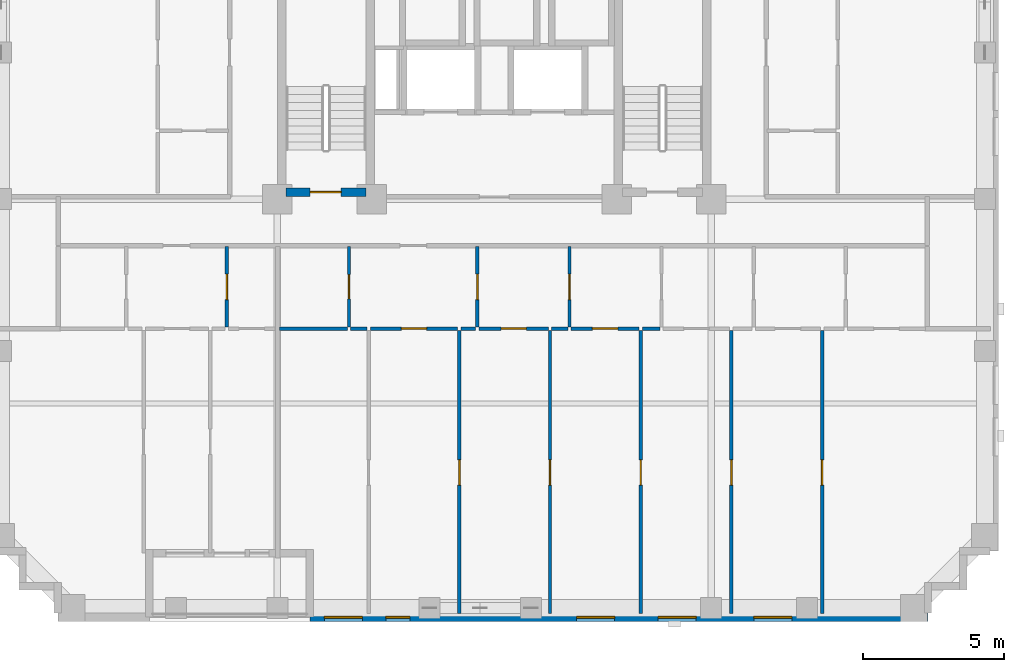
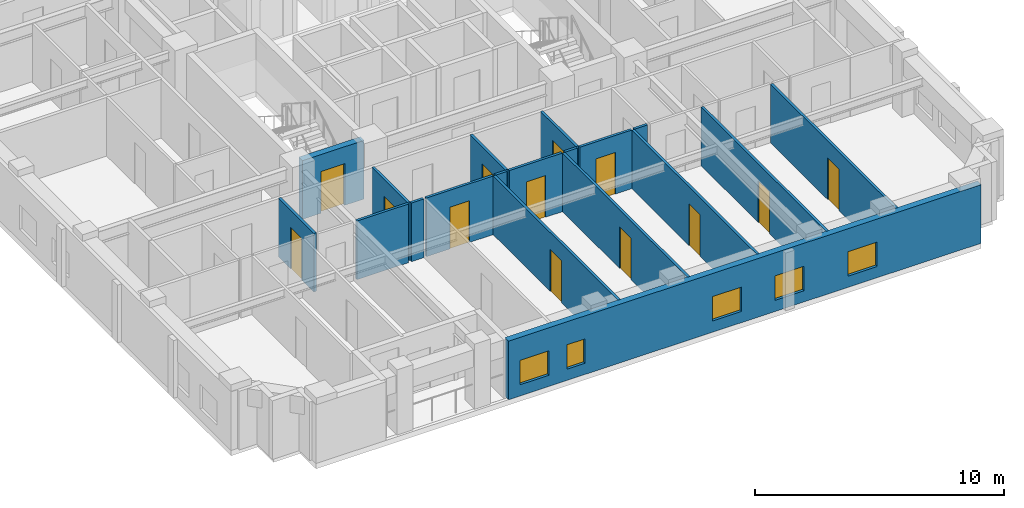
# One storey, part 3 of 12: 19 walls, 13 doors, 5 windows, 18 openings.
"""IFC4 building model written with IfcOpenShell, lengths in metres."""

from ifc_helpers import new_model, si_unit, derived_unit, direction, frame, frame_2d, origin, place, context, subcontext, project, spatial, rectangle, extrude, material, layer, layer_set, type_object, element, fill, save


model = new_model("IFC4")

# Units and contexts
model_context = context("Model", 3, precision=1e-05, world=origin(), true_north=direction((0.0, 1.0)))
body_context = subcontext(model_context, "Body", "Model", "MODEL_VIEW")
ifc_project = project(units=[si_unit("LENGTHUNIT", "METRE"), si_unit("AREAUNIT", "SQUARE_METRE"), si_unit("VOLUMEUNIT", "CUBIC_METRE"), si_unit("PLANEANGLEUNIT", "RADIAN"), si_unit("MASSUNIT", "GRAM", prefix="KILO"), derived_unit("THERMALTRANSMITTANCEUNIT", [(si_unit("MASSUNIT", "GRAM", prefix="KILO"), 1), (si_unit("TIMEUNIT", "SECOND"), -3), (si_unit("THERMODYNAMICTEMPERATUREUNIT", "KELVIN"), -1)])], contexts=[model_context])

# Site, building, storey
site_placement = place(None, origin())
site = spatial("IfcSite", under=ifc_project, at=site_placement, CompositionType="ELEMENT")
building_placement = place(site_placement, origin())
building = spatial("IfcBuilding", under=site, at=building_placement, Name="Korrvale Station Residences", CompositionType="ELEMENT")
storey_placement = place(building_placement, frame((0.0, 0.0, 116.699951171875)))
storey = spatial("IfcBuildingStorey", under=building, at=storey_placement, Name="L33", CompositionType="ELEMENT", Elevation=116.699951171875)

# Wall, opening, door
ifc_material_1 = material(Name="Concrete C60/75", Category="concrete")
ifc_layer_1 = layer(ifc_material_1, 0.300048828125, Name="Concrete C60/75")
ifc_layer_set_1 = layer_set([ifc_layer_1], Name="Concrete C60/75")
wall_type_1 = type_object("IfcWallType", Name="WAL-CORE-300-C60", PredefinedType="SHEAR", material=ifc_layer_set_1)
wall_1_placement = place(storey_placement, frame((18.10009765625, 15.25, 0.0), z_axis=(0.0, 0.0, 1.0), x_axis=(1.0, 0.0, 0.0)))
wall_1 = element("IfcWall", 1, at=wall_1_placement, inside=storey, type_object=wall_type_1, Name="L33 ST-1 Core Shear Wall South", PredefinedType="SHEAR", context=body_context, shape_type="SweptSolid", body=[
    extrude(rectangle(XDim=2.849853515625, YDim=0.300048828125, at=frame_2d((1.4248046875, 0.0))), origin(), (0.0, 0.0, 1.0), 2.880126953125),
])
opening_1_placement = place(wall_1_placement, frame((0.860107421875, 0.0, 0.0)))
opening_1 = element("IfcOpeningElement", 2, at=opening_1_placement, cuts=wall_1, Name="Opening SD-1100", PredefinedType="OPENING", context=body_context, shape_type="SweptSolid", body=[
    extrude(rectangle(XDim=1.10009765625, YDim=2.050048828125, at=frame_2d((0.550048828125, 1.02490234375))), frame((0.0, 0.16015625, 0.0), z_axis=(0.0, -1.0, 0.0), x_axis=(1.0, 0.0, 0.0)), (0.0, 0.0, 1.0), 0.320068359375),
])
ifc_material_2 = material(Name="Hollow-metal fire-rated stair door with closer", Category="steel")
door_type_1 = type_object("IfcDoorType", Name="DR-STAIR-1100", OperationType="NOTDEFINED", PredefinedType="DOOR", material=ifc_material_2)
door_1_placement = place(opening_1_placement, origin())
door_1 = element("IfcDoor", 3, at=door_1_placement, inside=storey, type_object=door_type_1, Name="L33 ST-1 Exit Stair Door", OperationType="SINGLE_SWING_LEFT", OverallHeight=2.050048828125, OverallWidth=1.10009765625, PredefinedType="DOOR", context=body_context, shape_type="SweptSolid", body=[
    extrude(rectangle(XDim=1.10009765625, YDim=2.050048828125, at=frame_2d((0.550048828125, 1.02490234375))), frame((0.0, 0.02490234375, 0.0), z_axis=(0.0, -1.0, 0.0), x_axis=(1.0, 0.0, 0.0)), (0.0, 0.0, 1.0), 0.050048828125),
])
fill(opening_1, door_1)

# Wall, openings, windows
ifc_material_3 = material(Name="Precast concrete C45/55", Category="concrete")
ifc_layer_2 = layer(ifc_material_3, 0.300048828125, Name="Precast concrete C45/55")
ifc_layer_set_2 = layer_set([ifc_layer_2], Name="Precast concrete C45/55")
wall_type_2 = type_object("IfcWallType", Name="WAL-EXT-PC300", PredefinedType="SOLIDWALL", material=ifc_layer_set_2)
wall_2_placement = place(storey_placement, frame((40.89990234375, 0.14990234375, 0.0), z_axis=(0.0, 0.0, 1.0), x_axis=(-1.0, 0.0, 0.0)))
wall_2 = element("IfcWall", 4, at=wall_2_placement, inside=storey, type_object=wall_type_2, Name="L33 South Exterior Precast Wall 1", PredefinedType="SOLIDWALL", context=body_context, shape_type="SweptSolid", body=[
    extrude(rectangle(XDim=21.949951171875, YDim=0.300048828125, at=frame_2d((10.97509765625, 0.0))), origin(), (0.0, 0.0, 1.0), 2.880126953125),
])
opening_2_placement = place(wall_2_placement, frame((20.080078125, 0.0, 0.550048828125)))
opening_2 = element("IfcOpeningElement", 5, at=opening_2_placement, cuts=wall_2, Name="Opening W-10", PredefinedType="OPENING", context=body_context, shape_type="SweptSolid", body=[
    extrude(rectangle(XDim=1.35009765625, YDim=1.199951171875, at=frame_2d((0.675048828125, 0.60009765625))), frame((0.0, 0.16015625, 0.0), z_axis=(0.0, -1.0, 0.0), x_axis=(1.0, 0.0, 0.0)), (0.0, 0.0, 1.0), 0.320068359375),
])
opening_3_placement = place(wall_2_placement, frame((18.39990234375, 0.0, 0.550048828125)))
opening_3 = element("IfcOpeningElement", 6, at=opening_3_placement, cuts=wall_2, Name="Opening W-11", PredefinedType="OPENING", context=body_context, shape_type="SweptSolid", body=[
    extrude(rectangle(XDim=0.85009765625, YDim=1.199951171875, at=frame_2d((0.425048828125, 0.60009765625))), frame((0.0, 0.16015625, 0.0), z_axis=(0.0, -1.0, 0.0), x_axis=(1.0, 0.0, 0.0)), (0.0, 0.0, 1.0), 0.320068359375),
])
opening_4_placement = place(wall_2_placement, frame((11.126953125, 0.0, 0.550048828125)))
opening_4 = element("IfcOpeningElement", 7, at=opening_4_placement, cuts=wall_2, Name="Opening W-10", PredefinedType="OPENING", context=body_context, shape_type="SweptSolid", body=[
    extrude(rectangle(XDim=1.35009765625, YDim=1.199951171875, at=frame_2d((0.675048828125, 0.60009765625))), frame((0.0, 0.16015625, 0.0), z_axis=(0.0, -1.0, 0.0), x_axis=(1.0, 0.0, 0.0)), (0.0, 0.0, 1.0), 0.320068359375),
])
opening_5_placement = place(wall_2_placement, frame((8.235107421875, 0.0, 0.550048828125)))
opening_5 = element("IfcOpeningElement", 8, at=opening_5_placement, cuts=wall_2, Name="Opening W-10", PredefinedType="OPENING", context=body_context, shape_type="SweptSolid", body=[
    extrude(rectangle(XDim=1.35009765625, YDim=1.199951171875, at=frame_2d((0.675048828125, 0.60009765625))), frame((0.0, 0.16015625, 0.0), z_axis=(0.0, -1.0, 0.0), x_axis=(1.0, 0.0, 0.0)), (0.0, 0.0, 1.0), 0.320068359375),
])
opening_6_placement = place(wall_2_placement, frame((4.8349609375, 0.0, 0.550048828125)))
opening_6 = element("IfcOpeningElement", 9, at=opening_6_placement, cuts=wall_2, Name="Opening W-10", PredefinedType="OPENING", context=body_context, shape_type="SweptSolid", body=[
    extrude(rectangle(XDim=1.35009765625, YDim=1.199951171875, at=frame_2d((0.675048828125, 0.60009765625))), frame((0.0, 0.16015625, 0.0), z_axis=(0.0, -1.0, 0.0), x_axis=(1.0, 0.0, 0.0)), (0.0, 0.0, 1.0), 0.320068359375),
])
ifc_material_4 = material(Name="Thermally broken aluminium frame with triple low-e glazing", Category="aluminium")
window_type_1 = type_object("IfcWindowType", Name="WIN-W10", PartitioningType="SINGLE_PANEL", PredefinedType="WINDOW", material=ifc_material_4)
window_1_placement = place(opening_2_placement, origin())
window_1 = element("IfcWindow", 10, at=window_1_placement, inside=storey, type_object=window_type_1, Name="L33 Punched Window 05", OverallHeight=1.199951171875, OverallWidth=1.35009765625, PartitioningType="SINGLE_PANEL", PredefinedType="WINDOW", context=body_context, shape_type="SweptSolid", body=[
    extrude(rectangle(XDim=1.35009765625, YDim=1.199951171875, at=frame_2d((0.675048828125, 0.60009765625))), frame((0.0, 0.030029296875, 0.0), z_axis=(0.0, -1.0, 0.0), x_axis=(1.0, 0.0, 0.0)), (0.0, 0.0, 1.0), 0.06005859375),
])
fill(opening_2, window_1)
window_2_placement = place(opening_4_placement, origin())
window_2 = element("IfcWindow", 11, at=window_2_placement, inside=storey, type_object=window_type_1, Name="L33 Punched Window 07", OverallHeight=1.199951171875, OverallWidth=1.35009765625, PartitioningType="SINGLE_PANEL", PredefinedType="WINDOW", context=body_context, shape_type="SweptSolid", body=[
    extrude(rectangle(XDim=1.35009765625, YDim=1.199951171875, at=frame_2d((0.675048828125, 0.60009765625))), frame((0.0, 0.030029296875, 0.0), z_axis=(0.0, -1.0, 0.0), x_axis=(1.0, 0.0, 0.0)), (0.0, 0.0, 1.0), 0.06005859375),
])
fill(opening_4, window_2)
window_3_placement = place(opening_5_placement, origin())
window_3 = element("IfcWindow", 12, at=window_3_placement, inside=storey, type_object=window_type_1, Name="L33 Punched Window 08", OverallHeight=1.199951171875, OverallWidth=1.35009765625, PartitioningType="SINGLE_PANEL", PredefinedType="WINDOW", context=body_context, shape_type="SweptSolid", body=[
    extrude(rectangle(XDim=1.35009765625, YDim=1.199951171875, at=frame_2d((0.675048828125, 0.60009765625))), frame((0.0, 0.030029296875, 0.0), z_axis=(0.0, -1.0, 0.0), x_axis=(1.0, 0.0, 0.0)), (0.0, 0.0, 1.0), 0.06005859375),
])
fill(opening_5, window_3)
window_4_placement = place(opening_6_placement, origin())
window_4 = element("IfcWindow", 13, at=window_4_placement, inside=storey, type_object=window_type_1, Name="L33 Punched Window 09", OverallHeight=1.199951171875, OverallWidth=1.35009765625, PartitioningType="SINGLE_PANEL", PredefinedType="WINDOW", context=body_context, shape_type="SweptSolid", body=[
    extrude(rectangle(XDim=1.35009765625, YDim=1.199951171875, at=frame_2d((0.675048828125, 0.60009765625))), frame((0.0, 0.030029296875, 0.0), z_axis=(0.0, -1.0, 0.0), x_axis=(1.0, 0.0, 0.0)), (0.0, 0.0, 1.0), 0.06005859375),
])
fill(opening_6, window_4)
window_type_2 = type_object("IfcWindowType", Name="WIN-W11", PartitioningType="SINGLE_PANEL", PredefinedType="WINDOW", material=ifc_material_4)
window_5_placement = place(opening_3_placement, origin())
window_5 = element("IfcWindow", 14, at=window_5_placement, inside=storey, type_object=window_type_2, Name="L33 Punched Window 06", OverallHeight=1.199951171875, OverallWidth=0.85009765625, PartitioningType="SINGLE_PANEL", PredefinedType="WINDOW", context=body_context, shape_type="SweptSolid", body=[
    extrude(rectangle(XDim=0.85009765625, YDim=1.199951171875, at=frame_2d((0.425048828125, 0.60009765625))), frame((0.0, 0.030029296875, 0.0), z_axis=(0.0, -1.0, 0.0), x_axis=(1.0, 0.0, 0.0)), (0.0, 0.0, 1.0), 0.06005859375),
])
fill(opening_3, window_5)

# Wall, opening, door
ifc_material_5 = material(Name="Acoustic steel-stud gypsum board partition", Category="steel")
ifc_layer_3 = layer(ifc_material_5, 0.1201171875, Name="Acoustic steel-stud gypsum board partition")
ifc_layer_set_3 = layer_set([ifc_layer_3], Name="Acoustic steel-stud gypsum board partition")
wall_type_3 = type_object("IfcWallType", Name="WAL-PART-125", PredefinedType="PARTITIONING", material=ifc_layer_set_3)
wall_3_placement = place(storey_placement, frame((16.001953125, 10.4599609375, 0.0), z_axis=(0.0, 0.0, 1.0), x_axis=(0.0, 1.0, 0.0)))
wall_3 = element("IfcWall", 15, at=wall_3_placement, inside=storey, type_object=wall_type_3, Name="L33 Suite Partition U01-V12", PredefinedType="PARTITIONING", context=body_context, shape_type="SweptSolid", body=[
    extrude(rectangle(XDim=2.85009765625, YDim=0.1201171875, at=frame_2d((1.425048828125, 0.0))), origin(), (0.0, 0.0, 1.0), 2.880126953125),
])
opening_7_placement = place(wall_3_placement, frame((0.97509765625, 0.0, 0.0)))
opening_7 = element("IfcOpeningElement", 16, at=opening_7_placement, cuts=wall_3, Name="Opening DI-900", PredefinedType="OPENING", context=body_context, shape_type="SweptSolid", body=[
    extrude(rectangle(XDim=0.89990234375, YDim=2.050048828125, at=frame_2d((0.449951171875, 1.02490234375))), frame((0.0, 0.070068359375, 0.0), z_axis=(0.0, -1.0, 0.0), x_axis=(1.0, 0.0, 0.0)), (0.0, 0.0, 1.0), 0.14013671875),
])
ifc_material_6 = material(Name="Painted solid-core timber interior room door", Category="wood")
door_type_2 = type_object("IfcDoorType", Name="DR-INT-900", OperationType="NOTDEFINED", PredefinedType="DOOR", material=ifc_material_6)
door_2_placement = place(opening_7_placement, origin())
door_2 = element("IfcDoor", 17, at=door_2_placement, inside=storey, type_object=door_type_2, Name="L33 Apartment 2BR L33-U01 Kitchen Door", OperationType="SINGLE_SWING_LEFT", OverallHeight=2.050048828125, OverallWidth=0.89990234375, PredefinedType="DOOR", context=body_context, shape_type="SweptSolid", body=[
    extrude(rectangle(XDim=0.89990234375, YDim=2.050048828125, at=frame_2d((0.449951171875, 1.02490234375))), frame((0.0, 0.02490234375, 0.0), z_axis=(0.0, -1.0, 0.0), x_axis=(1.0, 0.0, 0.0)), (0.0, 0.0, 1.0), 0.050048828125),
])
fill(opening_7, door_2)

wall_4_placement = place(storey_placement, frame((20.340087890625, 10.4599609375, 0.0), z_axis=(0.0, 0.0, 1.0), x_axis=(0.0, 1.0, 0.0)))
wall_4 = element("IfcWall", 18, at=wall_4_placement, inside=storey, type_object=wall_type_3, Name="L33 Suite Partition U02-V01", PredefinedType="PARTITIONING", context=body_context, shape_type="SweptSolid", body=[
    extrude(rectangle(XDim=2.85009765625, YDim=0.1201171875, at=frame_2d((1.425048828125, 0.0))), origin(), (0.0, 0.0, 1.0), 2.880126953125),
])
opening_8_placement = place(wall_4_placement, frame((0.9951171875, 0.0, 0.0)))
opening_8 = element("IfcOpeningElement", 19, at=opening_8_placement, cuts=wall_4, Name="Opening DB-860", PredefinedType="OPENING", context=body_context, shape_type="SweptSolid", body=[
    extrude(rectangle(XDim=0.860107421875, YDim=2.050048828125, at=frame_2d((0.43017578125, 1.02490234375))), frame((0.0, 0.070068359375, 0.0), z_axis=(0.0, -1.0, 0.0), x_axis=(1.0, 0.0, 0.0)), (0.0, 0.0, 1.0), 0.14013671875),
])
ifc_material_7 = material(Name="Moisture-resistant solid-core bathroom door", Category="timber")
door_type_3 = type_object("IfcDoorType", Name="DR-BATH-860", OperationType="NOTDEFINED", PredefinedType="DOOR", material=ifc_material_7)
door_3_placement = place(opening_8_placement, origin())
door_3 = element("IfcDoor", 20, at=door_3_placement, inside=storey, type_object=door_type_3, Name="L33 Studio Apartment L33-U02 Bathroom Door", OperationType="SINGLE_SWING_RIGHT", OverallHeight=2.050048828125, OverallWidth=0.860107421875, PredefinedType="DOOR", context=body_context, shape_type="SweptSolid", body=[
    extrude(rectangle(XDim=0.860107421875, YDim=2.050048828125, at=frame_2d((0.43017578125, 1.02490234375))), frame((0.0, 0.02490234375, 0.0), z_axis=(0.0, -1.0, 0.0), x_axis=(1.0, 0.0, 0.0)), (0.0, 0.0, 1.0), 0.050048828125),
])
fill(opening_8, door_3)

# Wall
wall_5_placement = place(storey_placement, frame((17.8798828125, 10.39990234375, 0.0), z_axis=(0.0, 0.0, 1.0), x_axis=(1.0, 0.0, 0.0)))
element("IfcWall", 21, at=wall_5_placement, inside=storey, type_object=wall_type_3, Name="L33 Suite Partition U02-H07", PredefinedType="PARTITIONING", context=body_context, shape_type="SweptSolid", body=[
    extrude(rectangle(XDim=2.400146484375, YDim=0.1201171875, at=frame_2d((1.2001953125, 0.0))), origin(), (0.0, 0.0, 1.0), 2.880126953125),
])

# Wall, opening, door
wall_6_placement = place(storey_placement, frame((24.89990234375, 10.4599609375, 0.0), z_axis=(0.0, 0.0, 1.0), x_axis=(0.0, 1.0, 0.0)))
wall_6 = element("IfcWall", 22, at=wall_6_placement, inside=storey, type_object=wall_type_3, Name="L33 Suite Partition U02-V12", PredefinedType="PARTITIONING", context=body_context, shape_type="SweptSolid", body=[
    extrude(rectangle(XDim=2.85009765625, YDim=0.1201171875, at=frame_2d((1.425048828125, 0.0))), origin(), (0.0, 0.0, 1.0), 2.880126953125),
])
opening_9_placement = place(wall_6_placement, frame((0.97509765625, 0.0, 0.0)))
opening_9 = element("IfcOpeningElement", 23, at=opening_9_placement, cuts=wall_6, Name="Opening DI-900", PredefinedType="OPENING", context=body_context, shape_type="SweptSolid", body=[
    extrude(rectangle(XDim=0.89990234375, YDim=2.050048828125, at=frame_2d((0.449951171875, 1.02490234375))), frame((0.0, 0.070068359375, 0.0), z_axis=(0.0, -1.0, 0.0), x_axis=(1.0, 0.0, 0.0)), (0.0, 0.0, 1.0), 0.14013671875),
])
door_4_placement = place(opening_9_placement, origin())
door_4 = element("IfcDoor", 24, at=door_4_placement, inside=storey, type_object=door_type_2, Name="L33 Studio Apartment L33-U02 Kitchen Door", OperationType="SINGLE_SWING_LEFT", OverallHeight=2.050048828125, OverallWidth=0.89990234375, PredefinedType="DOOR", context=body_context, shape_type="SweptSolid", body=[
    extrude(rectangle(XDim=0.89990234375, YDim=2.050048828125, at=frame_2d((0.449951171875, 1.02490234375))), frame((0.0, 0.02490234375, 0.0), z_axis=(0.0, -1.0, 0.0), x_axis=(1.0, 0.0, 0.0)), (0.0, 0.0, 1.0), 0.050048828125),
])
fill(opening_9, door_4)

# Wall
wall_7_placement = place(storey_placement, frame((20.39990234375, 10.39990234375, 0.0), z_axis=(0.0, 0.0, 1.0), x_axis=(1.0, 0.0, 0.0)))
element("IfcWall", 25, at=wall_7_placement, inside=storey, type_object=wall_type_3, Name="L33 Suite Partition U02-H17", PredefinedType="PARTITIONING", context=body_context, shape_type="SweptSolid", body=[
    extrude(rectangle(XDim=0.580078125, YDim=0.1201171875, at=frame_2d((0.2900390625, 0.0))), origin(), (0.0, 0.0, 1.0), 2.880126953125),
])

# Wall, opening, door
wall_8_placement = place(storey_placement, frame((21.10009765625, 10.39990234375, 0.0), z_axis=(0.0, 0.0, 1.0), x_axis=(1.0, 0.0, 0.0)))
wall_8 = element("IfcWall", 26, at=wall_8_placement, inside=storey, type_object=wall_type_3, Name="L33 Suite Partition U02-H18", PredefinedType="PARTITIONING", context=body_context, shape_type="SweptSolid", body=[
    extrude(rectangle(XDim=3.099853515625, YDim=0.1201171875, at=frame_2d((1.5498046875, 0.0))), origin(), (0.0, 0.0, 1.0), 2.880126953125),
])
opening_10_placement = place(wall_8_placement, frame((1.10009765625, 0.0, 0.0)))
opening_10 = element("IfcOpeningElement", 27, at=opening_10_placement, cuts=wall_8, Name="Opening DI-900", PredefinedType="OPENING", context=body_context, shape_type="SweptSolid", body=[
    extrude(rectangle(XDim=0.89990234375, YDim=2.050048828125, at=frame_2d((0.449951171875, 1.02490234375))), frame((0.0, 0.070068359375, 0.0), z_axis=(0.0, -1.0, 0.0), x_axis=(1.0, 0.0, 0.0)), (0.0, 0.0, 1.0), 0.14013671875),
])
door_5_placement = place(opening_10_placement, origin())
door_5 = element("IfcDoor", 28, at=door_5_placement, inside=storey, type_object=door_type_2, Name="L33 Studio Apartment L33-U02 Kitchen Door", OperationType="SINGLE_SWING_RIGHT", OverallHeight=2.050048828125, OverallWidth=0.89990234375, PredefinedType="DOOR", context=body_context, shape_type="SweptSolid", body=[
    extrude(rectangle(XDim=0.89990234375, YDim=2.050048828125, at=frame_2d((0.449951171875, 1.02490234375))), frame((0.0, 0.02490234375, 0.0), z_axis=(0.0, -1.0, 0.0), x_axis=(1.0, 0.0, 0.0)), (0.0, 0.0, 1.0), 0.050048828125),
])
fill(opening_10, door_5)

# Wall
wall_9_placement = place(storey_placement, frame((24.320068359375, 10.39990234375, 0.0), z_axis=(0.0, 0.0, 1.0), x_axis=(1.0, 0.0, 0.0)))
element("IfcWall", 29, at=wall_9_placement, inside=storey, type_object=wall_type_3, Name="L33 Suite Partition U02-H19", PredefinedType="PARTITIONING", context=body_context, shape_type="SweptSolid", body=[
    extrude(rectangle(XDim=0.52001953125, YDim=0.1201171875, at=frame_2d((0.260009765625, 0.0))), origin(), (0.0, 0.0, 1.0), 2.880126953125),
])

# Wall, opening, door
wall_10_placement = place(storey_placement, frame((28.169921875, 10.4599609375, 0.0), z_axis=(0.0, 0.0, 1.0), x_axis=(0.0, 1.0, 0.0)))
wall_10 = element("IfcWall", 30, at=wall_10_placement, inside=storey, type_object=wall_type_3, Name="L33 Suite Partition U02-V23", PredefinedType="PARTITIONING", context=body_context, shape_type="SweptSolid", body=[
    extrude(rectangle(XDim=2.85009765625, YDim=0.1201171875, at=frame_2d((1.425048828125, 0.0))), origin(), (0.0, 0.0, 1.0), 2.880126953125),
])
opening_11_placement = place(wall_10_placement, frame((0.97509765625, 0.0, 0.0)))
opening_11 = element("IfcOpeningElement", 31, at=opening_11_placement, cuts=wall_10, Name="Opening DI-900", PredefinedType="OPENING", context=body_context, shape_type="SweptSolid", body=[
    extrude(rectangle(XDim=0.89990234375, YDim=2.050048828125, at=frame_2d((0.449951171875, 1.02490234375))), frame((0.0, 0.070068359375, 0.0), z_axis=(0.0, -1.0, 0.0), x_axis=(1.0, 0.0, 0.0)), (0.0, 0.0, 1.0), 0.14013671875),
])
door_6_placement = place(opening_11_placement, origin())
door_6 = element("IfcDoor", 32, at=door_6_placement, inside=storey, type_object=door_type_2, Name="L33 Studio Apartment L33-U02 Home Study Room Door", OperationType="SINGLE_SWING_LEFT", OverallHeight=2.050048828125, OverallWidth=0.89990234375, PredefinedType="DOOR", context=body_context, shape_type="SweptSolid", body=[
    extrude(rectangle(XDim=0.89990234375, YDim=2.050048828125, at=frame_2d((0.449951171875, 1.02490234375))), frame((0.0, 0.02490234375, 0.0), z_axis=(0.0, -1.0, 0.0), x_axis=(1.0, 0.0, 0.0)), (0.0, 0.0, 1.0), 0.050048828125),
])
fill(opening_11, door_6)

wall_11_placement = place(storey_placement, frame((24.9599609375, 10.39990234375, 0.0), z_axis=(0.0, 0.0, 1.0), x_axis=(1.0, 0.0, 0.0)))
wall_11 = element("IfcWall", 33, at=wall_11_placement, inside=storey, type_object=wall_type_3, Name="L33 Suite Partition U02-H29", PredefinedType="PARTITIONING", context=body_context, shape_type="SweptSolid", body=[
    extrude(rectangle(XDim=2.4599609375, YDim=0.1201171875, at=frame_2d((1.22998046875, 0.0))), origin(), (0.0, 0.0, 1.0), 2.880126953125),
])
opening_12_placement = place(wall_11_placement, frame((0.780029296875, 0.0, 0.0)))
opening_12 = element("IfcOpeningElement", 34, at=opening_12_placement, cuts=wall_11, Name="Opening DI-900", PredefinedType="OPENING", context=body_context, shape_type="SweptSolid", body=[
    extrude(rectangle(XDim=0.89990234375, YDim=2.050048828125, at=frame_2d((0.449951171875, 1.02490234375))), frame((0.0, 0.070068359375, 0.0), z_axis=(0.0, -1.0, 0.0), x_axis=(1.0, 0.0, 0.0)), (0.0, 0.0, 1.0), 0.14013671875),
])
door_7_placement = place(opening_12_placement, origin())
door_7 = element("IfcDoor", 35, at=door_7_placement, inside=storey, type_object=door_type_2, Name="L33 Studio Apartment L33-U02 Home Study Room Door", OperationType="SINGLE_SWING_RIGHT", OverallHeight=2.050048828125, OverallWidth=0.89990234375, PredefinedType="DOOR", context=body_context, shape_type="SweptSolid", body=[
    extrude(rectangle(XDim=0.89990234375, YDim=2.050048828125, at=frame_2d((0.449951171875, 1.02490234375))), frame((0.0, 0.02490234375, 0.0), z_axis=(0.0, -1.0, 0.0), x_axis=(1.0, 0.0, 0.0)), (0.0, 0.0, 1.0), 0.050048828125),
])
fill(opening_12, door_7)

# Wall
wall_12_placement = place(storey_placement, frame((27.5400390625, 10.39990234375, 0.0), z_axis=(0.0, 0.0, 1.0), x_axis=(1.0, 0.0, 0.0)))
element("IfcWall", 36, at=wall_12_placement, inside=storey, type_object=wall_type_3, Name="L33 Suite Partition U02-H210", PredefinedType="PARTITIONING", context=body_context, shape_type="SweptSolid", body=[
    extrude(rectangle(XDim=0.570068359375, YDim=0.1201171875, at=frame_2d((0.28515625, 0.0))), origin(), (0.0, 0.0, 1.0), 2.880126953125),
])

# Wall, opening, door
wall_13_placement = place(storey_placement, frame((28.22998046875, 10.39990234375, 0.0), z_axis=(0.0, 0.0, 1.0), x_axis=(1.0, 0.0, 0.0)))
wall_13 = element("IfcWall", 37, at=wall_13_placement, inside=storey, type_object=wall_type_3, Name="L33 Suite Partition U02-H310", PredefinedType="PARTITIONING", context=body_context, shape_type="SweptSolid", body=[
    extrude(rectangle(XDim=2.409912109375, YDim=0.1201171875, at=frame_2d((1.205078125, 0.0))), origin(), (0.0, 0.0, 1.0), 2.880126953125),
])
opening_13_placement = place(wall_13_placement, frame((0.7548828125, 0.0, 0.0)))
opening_13 = element("IfcOpeningElement", 38, at=opening_13_placement, cuts=wall_13, Name="Opening DI-900", PredefinedType="OPENING", context=body_context, shape_type="SweptSolid", body=[
    extrude(rectangle(XDim=0.89990234375, YDim=2.050048828125, at=frame_2d((0.449951171875, 1.02490234375))), frame((0.0, 0.070068359375, 0.0), z_axis=(0.0, -1.0, 0.0), x_axis=(1.0, 0.0, 0.0)), (0.0, 0.0, 1.0), 0.14013671875),
])
door_8_placement = place(opening_13_placement, origin())
door_8 = element("IfcDoor", 39, at=door_8_placement, inside=storey, type_object=door_type_2, Name="L33 Studio Apartment L33-U02 Home Study Room Door", OperationType="SINGLE_SWING_RIGHT", OverallHeight=2.050048828125, OverallWidth=0.89990234375, PredefinedType="DOOR", context=body_context, shape_type="SweptSolid", body=[
    extrude(rectangle(XDim=0.89990234375, YDim=2.050048828125, at=frame_2d((0.449951171875, 1.02490234375))), frame((0.0, 0.02490234375, 0.0), z_axis=(0.0, -1.0, 0.0), x_axis=(1.0, 0.0, 0.0)), (0.0, 0.0, 1.0), 0.050048828125),
])
fill(opening_13, door_8)

# Wall
wall_14_placement = place(storey_placement, frame((30.760009765625, 10.39990234375, 0.0), z_axis=(0.0, 0.0, 1.0), x_axis=(1.0, 0.0, 0.0)))
element("IfcWall", 40, at=wall_14_placement, inside=storey, type_object=wall_type_3, Name="L33 Suite Partition U02-H311", PredefinedType="PARTITIONING", context=body_context, shape_type="SweptSolid", body=[
    extrude(rectangle(XDim=0.619873046875, YDim=0.1201171875, at=frame_2d((0.31005859375, 0.0))), origin(), (0.0, 0.0, 1.0), 2.880126953125),
])

# Wall, opening, door
wall_15_placement = place(storey_placement, frame((24.260009765625, 0.280029296875, 0.0), z_axis=(0.0, 0.0, 1.0), x_axis=(0.0, 1.0, 0.0)))
wall_15 = element("IfcWall", 41, at=wall_15_placement, inside=storey, type_object=wall_type_3, Name="L33 Suite Partition U02-V89", PredefinedType="PARTITIONING", context=body_context, shape_type="SweptSolid", body=[
    extrude(rectangle(XDim=10.06005859375, YDim=0.1201171875, at=frame_2d((5.030029296875, 0.0))), origin(), (0.0, 0.0, 1.0), 2.880126953125),
])
opening_14_placement = place(wall_15_placement, frame((4.56494140625, 0.0, 0.0)))
opening_14 = element("IfcOpeningElement", 42, at=opening_14_placement, cuts=wall_15, Name="Opening DI-900", PredefinedType="OPENING", context=body_context, shape_type="SweptSolid", body=[
    extrude(rectangle(XDim=0.89990234375, YDim=2.050048828125, at=frame_2d((0.449951171875, 1.02490234375))), frame((0.0, 0.070068359375, 0.0), z_axis=(0.0, -1.0, 0.0), x_axis=(1.0, 0.0, 0.0)), (0.0, 0.0, 1.0), 0.14013671875),
])
door_9_placement = place(opening_14_placement, origin())
door_9 = element("IfcDoor", 43, at=door_9_placement, inside=storey, type_object=door_type_2, Name="L33 Studio Apartment L33-U02 Formal Dining Room Door", OperationType="SINGLE_SWING_LEFT", OverallHeight=2.050048828125, OverallWidth=0.89990234375, PredefinedType="DOOR", context=body_context, shape_type="SweptSolid", body=[
    extrude(rectangle(XDim=0.89990234375, YDim=2.050048828125, at=frame_2d((0.449951171875, 1.02490234375))), frame((0.0, 0.02490234375, 0.0), z_axis=(0.0, -1.0, 0.0), x_axis=(1.0, 0.0, 0.0)), (0.0, 0.0, 1.0), 0.050048828125),
])
fill(opening_14, door_9)

wall_16_placement = place(storey_placement, frame((27.47998046875, 0.280029296875, 0.0), z_axis=(0.0, 0.0, 1.0), x_axis=(0.0, 1.0, 0.0)))
wall_16 = element("IfcWall", 44, at=wall_16_placement, inside=storey, type_object=wall_type_3, Name="L33 Suite Partition U02-V910", PredefinedType="PARTITIONING", context=body_context, shape_type="SweptSolid", body=[
    extrude(rectangle(XDim=10.06005859375, YDim=0.1201171875, at=frame_2d((5.030029296875, 0.0))), origin(), (0.0, 0.0, 1.0), 2.880126953125),
])
opening_15_placement = place(wall_16_placement, frame((4.56494140625, 0.0, 0.0)))
opening_15 = element("IfcOpeningElement", 45, at=opening_15_placement, cuts=wall_16, Name="Opening DI-900", PredefinedType="OPENING", context=body_context, shape_type="SweptSolid", body=[
    extrude(rectangle(XDim=0.89990234375, YDim=2.050048828125, at=frame_2d((0.449951171875, 1.02490234375))), frame((0.0, 0.070068359375, 0.0), z_axis=(0.0, -1.0, 0.0), x_axis=(1.0, 0.0, 0.0)), (0.0, 0.0, 1.0), 0.14013671875),
])
door_10_placement = place(opening_15_placement, origin())
door_10 = element("IfcDoor", 46, at=door_10_placement, inside=storey, type_object=door_type_2, Name="L33 Studio Apartment L33-U02 Walk-In Wardrobe Door", OperationType="SINGLE_SWING_RIGHT", OverallHeight=2.050048828125, OverallWidth=0.89990234375, PredefinedType="DOOR", context=body_context, shape_type="SweptSolid", body=[
    extrude(rectangle(XDim=0.89990234375, YDim=2.050048828125, at=frame_2d((0.449951171875, 1.02490234375))), frame((0.0, 0.02490234375, 0.0), z_axis=(0.0, -1.0, 0.0), x_axis=(1.0, 0.0, 0.0)), (0.0, 0.0, 1.0), 0.050048828125),
])
fill(opening_15, door_10)

wall_17_placement = place(storey_placement, frame((30.699951171875, 0.280029296875, 0.0), z_axis=(0.0, 0.0, 1.0), x_axis=(0.0, 1.0, 0.0)))
wall_17 = element("IfcWall", 47, at=wall_17_placement, inside=storey, type_object=wall_type_3, Name="L33 Suite Partition U02-V1011", PredefinedType="PARTITIONING", context=body_context, shape_type="SweptSolid", body=[
    extrude(rectangle(XDim=10.06005859375, YDim=0.1201171875, at=frame_2d((5.030029296875, 0.0))), origin(), (0.0, 0.0, 1.0), 2.880126953125),
])
opening_16_placement = place(wall_17_placement, frame((4.56494140625, 0.0, 0.0)))
opening_16 = element("IfcOpeningElement", 48, at=opening_16_placement, cuts=wall_17, Name="Opening DI-900", PredefinedType="OPENING", context=body_context, shape_type="SweptSolid", body=[
    extrude(rectangle(XDim=0.89990234375, YDim=2.050048828125, at=frame_2d((0.449951171875, 1.02490234375))), frame((0.0, 0.070068359375, 0.0), z_axis=(0.0, -1.0, 0.0), x_axis=(1.0, 0.0, 0.0)), (0.0, 0.0, 1.0), 0.14013671875),
])
door_11_placement = place(opening_16_placement, origin())
door_11 = element("IfcDoor", 49, at=door_11_placement, inside=storey, type_object=door_type_2, Name="L33 Studio Apartment L33-U02 Formal Dining Room Door", OperationType="SINGLE_SWING_LEFT", OverallHeight=2.050048828125, OverallWidth=0.89990234375, PredefinedType="DOOR", context=body_context, shape_type="SweptSolid", body=[
    extrude(rectangle(XDim=0.89990234375, YDim=2.050048828125, at=frame_2d((0.449951171875, 1.02490234375))), frame((0.0, 0.02490234375, 0.0), z_axis=(0.0, -1.0, 0.0), x_axis=(1.0, 0.0, 0.0)), (0.0, 0.0, 1.0), 0.050048828125),
])
fill(opening_16, door_11)

wall_18_placement = place(storey_placement, frame((33.919921875, 0.280029296875, 0.0), z_axis=(0.0, 0.0, 1.0), x_axis=(0.0, 1.0, 0.0)))
wall_18 = element("IfcWall", 50, at=wall_18_placement, inside=storey, type_object=wall_type_3, Name="L33 Suite Partition U02-V1112", PredefinedType="PARTITIONING", context=body_context, shape_type="SweptSolid", body=[
    extrude(rectangle(XDim=10.06005859375, YDim=0.1201171875, at=frame_2d((5.030029296875, 0.0))), origin(), (0.0, 0.0, 1.0), 2.880126953125),
])
opening_17_placement = place(wall_18_placement, frame((4.56494140625, 0.0, 0.0)))
opening_17 = element("IfcOpeningElement", 51, at=opening_17_placement, cuts=wall_18, Name="Opening DI-900", PredefinedType="OPENING", context=body_context, shape_type="SweptSolid", body=[
    extrude(rectangle(XDim=0.89990234375, YDim=2.050048828125, at=frame_2d((0.449951171875, 1.02490234375))), frame((0.0, 0.070068359375, 0.0), z_axis=(0.0, -1.0, 0.0), x_axis=(1.0, 0.0, 0.0)), (0.0, 0.0, 1.0), 0.14013671875),
])
door_12_placement = place(opening_17_placement, origin())
door_12 = element("IfcDoor", 52, at=door_12_placement, inside=storey, type_object=door_type_2, Name="L33 Studio Apartment L33-U02 Formal Dining Room Door", OperationType="SINGLE_SWING_RIGHT", OverallHeight=2.050048828125, OverallWidth=0.89990234375, PredefinedType="DOOR", context=body_context, shape_type="SweptSolid", body=[
    extrude(rectangle(XDim=0.89990234375, YDim=2.050048828125, at=frame_2d((0.449951171875, 1.02490234375))), frame((0.0, 0.02490234375, 0.0), z_axis=(0.0, -1.0, 0.0), x_axis=(1.0, 0.0, 0.0)), (0.0, 0.0, 1.0), 0.050048828125),
])
fill(opening_17, door_12)

wall_19_placement = place(storey_placement, frame((37.139892578125, 0.280029296875, 0.0), z_axis=(0.0, 0.0, 1.0), x_axis=(0.0, 1.0, 0.0)))
wall_19 = element("IfcWall", 53, at=wall_19_placement, inside=storey, type_object=wall_type_3, Name="L33 Suite Partition U02-V1213", PredefinedType="PARTITIONING", context=body_context, shape_type="SweptSolid", body=[
    extrude(rectangle(XDim=10.06005859375, YDim=0.1201171875, at=frame_2d((5.030029296875, 0.0))), origin(), (0.0, 0.0, 1.0), 2.880126953125),
])
opening_18_placement = place(wall_19_placement, frame((4.56494140625, 0.0, 0.0)))
opening_18 = element("IfcOpeningElement", 54, at=opening_18_placement, cuts=wall_19, Name="Opening DI-900", PredefinedType="OPENING", context=body_context, shape_type="SweptSolid", body=[
    extrude(rectangle(XDim=0.89990234375, YDim=2.050048828125, at=frame_2d((0.449951171875, 1.02490234375))), frame((0.0, 0.070068359375, 0.0), z_axis=(0.0, -1.0, 0.0), x_axis=(1.0, 0.0, 0.0)), (0.0, 0.0, 1.0), 0.14013671875),
])
door_13_placement = place(opening_18_placement, origin())
door_13 = element("IfcDoor", 55, at=door_13_placement, inside=storey, type_object=door_type_2, Name="L33 Studio Apartment L33-U02 Formal Dining Room Door", OperationType="SINGLE_SWING_LEFT", OverallHeight=2.050048828125, OverallWidth=0.89990234375, PredefinedType="DOOR", context=body_context, shape_type="SweptSolid", body=[
    extrude(rectangle(XDim=0.89990234375, YDim=2.050048828125, at=frame_2d((0.449951171875, 1.02490234375))), frame((0.0, 0.02490234375, 0.0), z_axis=(0.0, -1.0, 0.0), x_axis=(1.0, 0.0, 0.0)), (0.0, 0.0, 1.0), 0.050048828125),
])
fill(opening_18, door_13)

save(model, "model.ifc")
